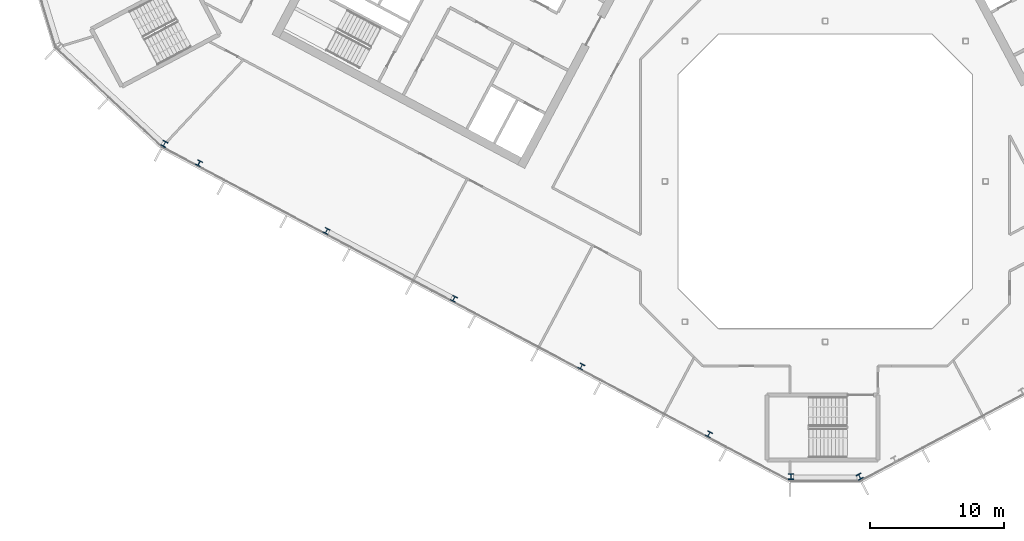
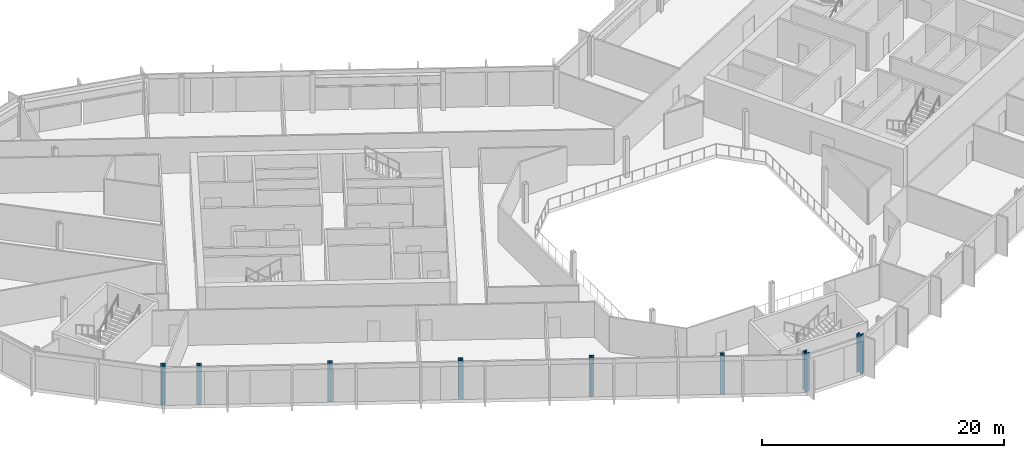
# One storey, part 1 of 27: 8 columns.
"""IFC4 building model written with IfcOpenShell, lengths in metres."""

from ifc_helpers import new_model, si_unit, direction, frame, origin, origin_2d, place, context, subcontext, project, spatial, i_section, extrude, material, material_profile, profile_set, type_object, element, save


model = new_model("IFC4")

# Units and contexts
model_context = context("Model", 3, precision=1e-05, world=origin(), true_north=direction((0.0, 1.0)))
body_context = subcontext(model_context, "Body", "Model", "MODEL_VIEW")
ifc_project = project(units=[si_unit("LENGTHUNIT", "METRE"), si_unit("AREAUNIT", "SQUARE_METRE"), si_unit("VOLUMEUNIT", "CUBIC_METRE"), si_unit("PLANEANGLEUNIT", "RADIAN"), si_unit("MASSUNIT", "GRAM", prefix="KILO")], contexts=[model_context])

# Site, building, storey
site_placement = place(None, origin())
site = spatial("IfcSite", under=ifc_project, at=site_placement, CompositionType="ELEMENT")
building_placement = place(site_placement, origin())
building = spatial("IfcBuilding", under=site, at=building_placement, Name="Cormorant Relay Tower", CompositionType="ELEMENT")
storey_placement = place(building_placement, frame((0.0, 0.0, 209.10009765625)))
storey = spatial("IfcBuildingStorey", under=building, at=storey_placement, Name="L45", CompositionType="ELEMENT", Elevation=209.10009765625)

# Columns
ifc_material_1 = material(Name="Steel ASTM A992 (Fy 345 MPa)", Category="steel")
ifc_material_profile_1 = material_profile(ifc_material_1, i_section(OverallWidth=0.40380859375, OverallDepth=0.406494140625, WebThickness=0.027099609375, FlangeThickness=0.043701171875, FilletRadius=0.01513671875, at=origin_2d()), Name="W360x347")
ifc_profile_set_1 = profile_set([ifc_material_profile_1], Name="Steel ASTM A992 (Fy 345 MPa)")
column_type_1 = type_object("IfcColumnType", Name="Column W360x347", PredefinedType="COLUMN", material=ifc_profile_set_1)
for number, where, z_axis, x_axis, name in (
    (1, (-8.700927734375, -18.919921875, 0.0), (0.0, 0.0, 1.0), (0.882947592859, -0.469471562786, 0.0), "Column L45-004"),
    (2, (-18.237060546875, -13.85009765625, 0.0), (0.0, 0.0, 1.0), (0.882947592859, -0.469471562786, 0.0), "Column L45-006"),
    (3, (-27.77197265625, -8.779052734375, 0.0), (0.0, 0.0, 1.0), (0.882947592859, -0.469471562786, 0.0), "Column L45-011"),
    (4, (-37.30810546875, -3.708984375, 0.0), (0.0, 0.0, 1.0), (0.882947592859, -0.469471562786, 0.0), "Column L45-013"),
    (5, (-46.843994140625, 1.361083984375, 0.0), (0.0, 0.0, 1.0), (0.882947592859, -0.469471562786, 0.0), "Column L45-017"),
):
    element("IfcColumn", number, at=place(storey_placement, frame(where, z_axis=z_axis, x_axis=x_axis)), inside=storey, type_object=column_type_1, Name=name, PredefinedType="COLUMN", context=body_context, shape_type="SweptSolid", body=[
        extrude(i_section(OverallWidth=0.40380859375, OverallDepth=0.406494140625, WebThickness=0.027099609375, FlangeThickness=0.043701171875, FilletRadius=0.01513671875, at=origin_2d()), origin(), (0.0, 0.0, 1.0), 3.89990234375),
    ])
ifc_material_2 = material(Name="Steel ASTM A992 (Fy 345 MPa)", Category="steel")
ifc_material_profile_2 = material_profile(ifc_material_2, i_section(OverallWidth=0.41162109375, OverallDepth=0.434326171875, WebThickness=0.035888671875, FlangeThickness=0.057373046875, FilletRadius=0.01513671875, at=origin_2d()), Name="W360x463")
ifc_profile_set_2 = profile_set([ifc_material_profile_2], Name="Steel ASTM A992 (Fy 345 MPa)")
column_type_2 = type_object("IfcColumnType", Name="Column W360x463", PredefinedType="COLUMN", material=ifc_profile_set_2)
for number, where, z_axis, x_axis, name in (
    (6, (-2.575927734375, -22.083984375, 0.0), (0.0, 0.0, 1.0), (1.0, 0.0, 0.0), "Column L45-001"),
    (7, (2.575927734375, -22.083984375, 0.0), (0.0, 0.0, 1.0), (0.882947592859, 0.469471562786, 0.0), "Column L45-002"),
    (8, (-49.43505859375, 2.803955078125, 0.0), (0.0, 0.0, 1.0), (0.882947592859, -0.469471562786, 0.0), "Column L45-018"),
):
    element("IfcColumn", number, at=place(storey_placement, frame(where, z_axis=z_axis, x_axis=x_axis)), inside=storey, type_object=column_type_2, Name=name, PredefinedType="COLUMN", context=body_context, shape_type="SweptSolid", body=[
        extrude(i_section(OverallWidth=0.41162109375, OverallDepth=0.434326171875, WebThickness=0.035888671875, FlangeThickness=0.057373046875, FilletRadius=0.01513671875, at=origin_2d()), origin(), (0.0, 0.0, 1.0), 3.89990234375),
    ])

save(model, "model.ifc")
